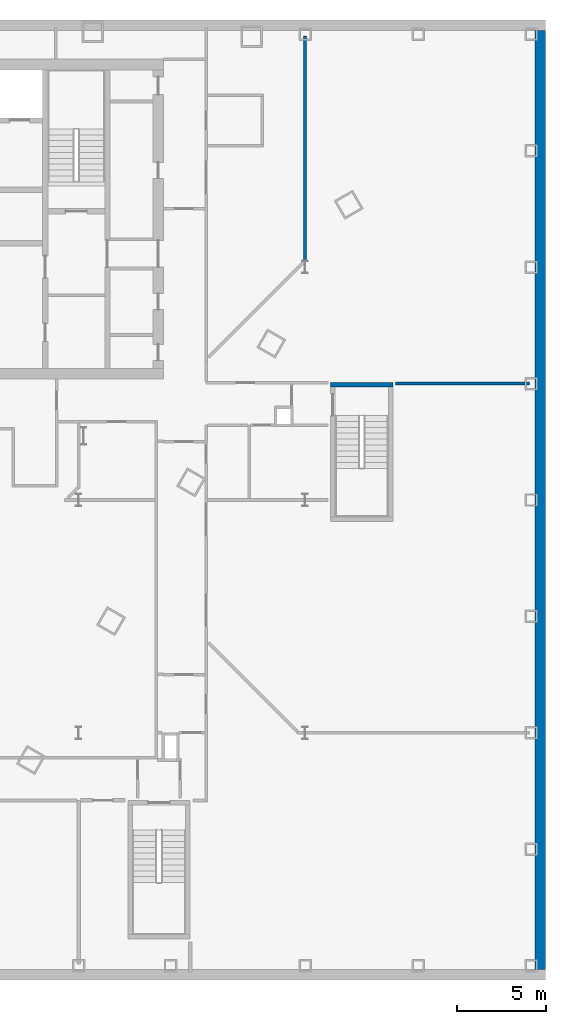
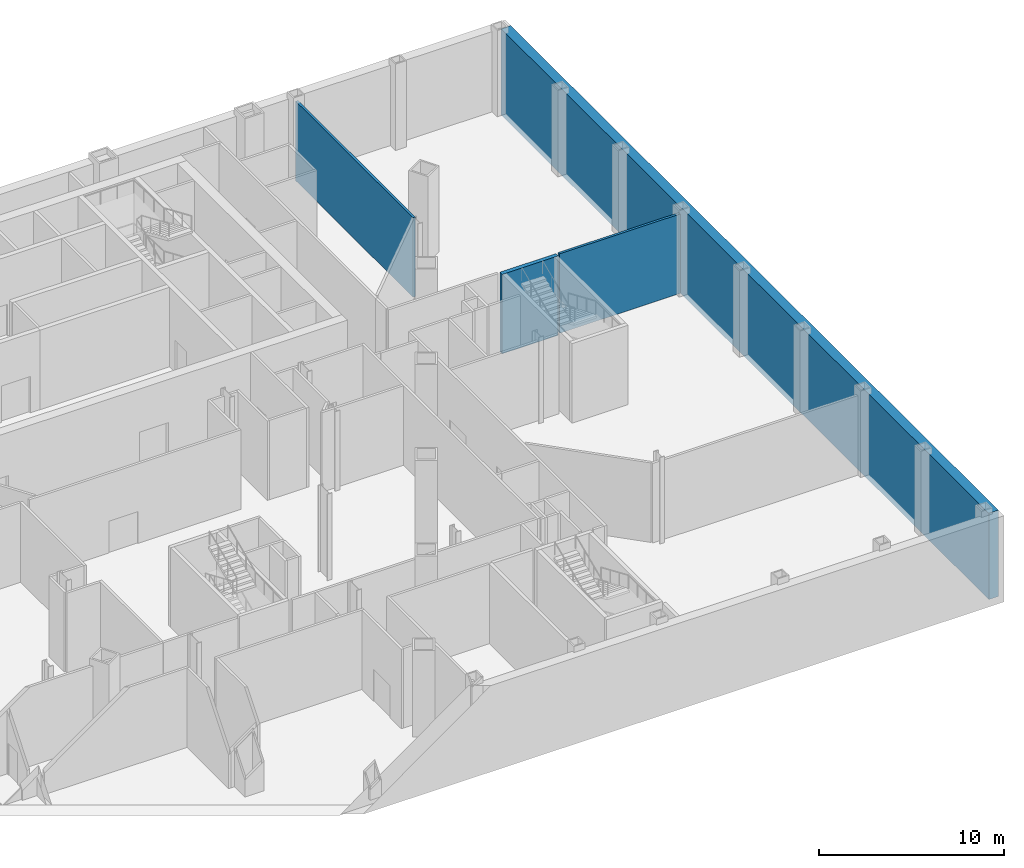
# One storey, part 11 of 18: 4 walls.
"""IFC4 building model written with IfcOpenShell, lengths in metres."""

from ifc_helpers import new_model, si_unit, direction, frame, frame_2d, origin, place, context, subcontext, project, spatial, rectangle, extrude, material, layer, layer_set, type_object, element, save


model = new_model("IFC4")

# Units and contexts
model_context = context("Model", 3, precision=1e-05, world=origin(), true_north=direction((0.0, 1.0)))
body_context = subcontext(model_context, "Body", "Model", "MODEL_VIEW")
ifc_project = project(units=[si_unit("LENGTHUNIT", "METRE"), si_unit("AREAUNIT", "SQUARE_METRE"), si_unit("VOLUMEUNIT", "CUBIC_METRE"), si_unit("PLANEANGLEUNIT", "RADIAN"), si_unit("MASSUNIT", "GRAM", prefix="KILO")], contexts=[model_context])

# Site, building, storey
site_placement = place(None, origin())
site = spatial("IfcSite", under=ifc_project, at=site_placement, CompositionType="ELEMENT")
building_placement = place(site_placement, origin())
building = spatial("IfcBuilding", under=site, at=building_placement, Name="Njiva Tower", CompositionType="ELEMENT")
storey_placement = place(building_placement, frame((0.0, 0.0, -5.7)))
storey = spatial("IfcBuildingStorey", under=building, at=storey_placement, Name="B1", CompositionType="ELEMENT", Elevation=-5.7)

# Walls
ifc_material_1 = material(Name="Gypsum board on steel studs", Category="gypsum")
ifc_layer_1 = layer(ifc_material_1, 0.15)
ifc_layer_set_1 = layer_set([ifc_layer_1], Name="Gypsum board on steel studs")
wall_type_1 = type_object("IfcWallType", Name="WT21 Compartment wall 150", PredefinedType="PARTITIONING", material=ifc_layer_set_1)
wall_1_placement = place(storey_placement, frame((25.467, 6.592, 0.0), z_axis=(0.0, 0.0, 1.0), x_axis=(0.0, 1.0, 0.0)))
element("IfcWall", 1, at=wall_1_placement, inside=storey, type_object=wall_type_1, Name="Partition B1-P124", PredefinedType="PARTITIONING", context=body_context, shape_type="SweptSolid", body=[
    extrude(rectangle(XDim=12.708, YDim=0.15, at=frame_2d((6.354, 0.0))), origin(), (0.0, 0.0, 1.0), 5.25),
])
wall_2_placement = place(storey_placement, frame((30.55, -0.25, 0.0), z_axis=(0.0, 0.0, 1.0), x_axis=(1.0, 0.0, 0.0)))
element("IfcWall", 2, at=wall_2_placement, inside=storey, type_object=wall_type_1, Name="Partition B1-P125", PredefinedType="PARTITIONING", context=body_context, shape_type="SweptSolid", body=[
    extrude(rectangle(XDim=7.55, YDim=0.15, at=frame_2d((3.775, 0.0))), origin(), (0.0, 0.0, 1.0), 5.25),
])
ifc_material_2 = material(Name="Concrete C40/50", Category="concrete")
ifc_layer_2 = layer(ifc_material_2, 0.25)
ifc_layer_set_2 = layer_set([ifc_layer_2], Name="Concrete C40/50")
wall_type_2 = type_object("IfcWallType", Name="WT9 Stair enclosure wall 250", PredefinedType="SHEAR", material=ifc_layer_set_2)
wall_3_placement = place(storey_placement, frame((26.9, -0.325, 0.0), z_axis=(0.0, 0.0, 1.0), x_axis=(1.0, 0.0, 0.0)))
element("IfcWall", 3, at=wall_3_placement, inside=storey, type_object=wall_type_2, Name="Stair G wall north", PredefinedType="SHEAR", context=body_context, shape_type="SweptSolid", body=[
    extrude(rectangle(XDim=3.5, YDim=0.25, at=frame_2d((1.75, 0.0))), origin(), (0.0, 0.0, 1.0), 5.25),
])
ifc_layer_3 = layer(ifc_material_2, 0.6)
ifc_layer_set_3 = layer_set([ifc_layer_3], Name="Concrete C40/50")
wall_type_3 = type_object("IfcWallType", Name="WT93 Basement retaining wall 600", PredefinedType="STANDARD", material=ifc_layer_set_3)
wall_4_placement = place(storey_placement, frame((38.7, -33.2, -0.4), z_axis=(0.0, 0.0, 1.0), x_axis=(0.0, 1.0, 0.0)))
element("IfcWall", 4, at=wall_4_placement, inside=storey, type_object=wall_type_3, Name="Basement retaining wall", PredefinedType="STANDARD", context=body_context, shape_type="SweptSolid", body=[
    extrude(rectangle(XDim=52.8, YDim=0.6, at=frame_2d((26.4, 0.0))), origin(), (0.0, 0.0, 1.0), 5.7),
])

save(model, "model.ifc")
